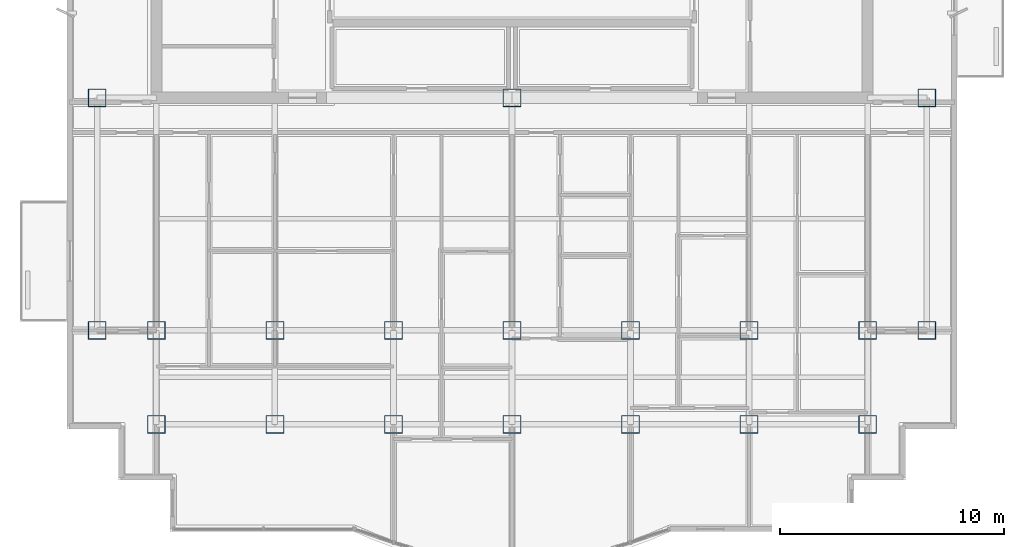
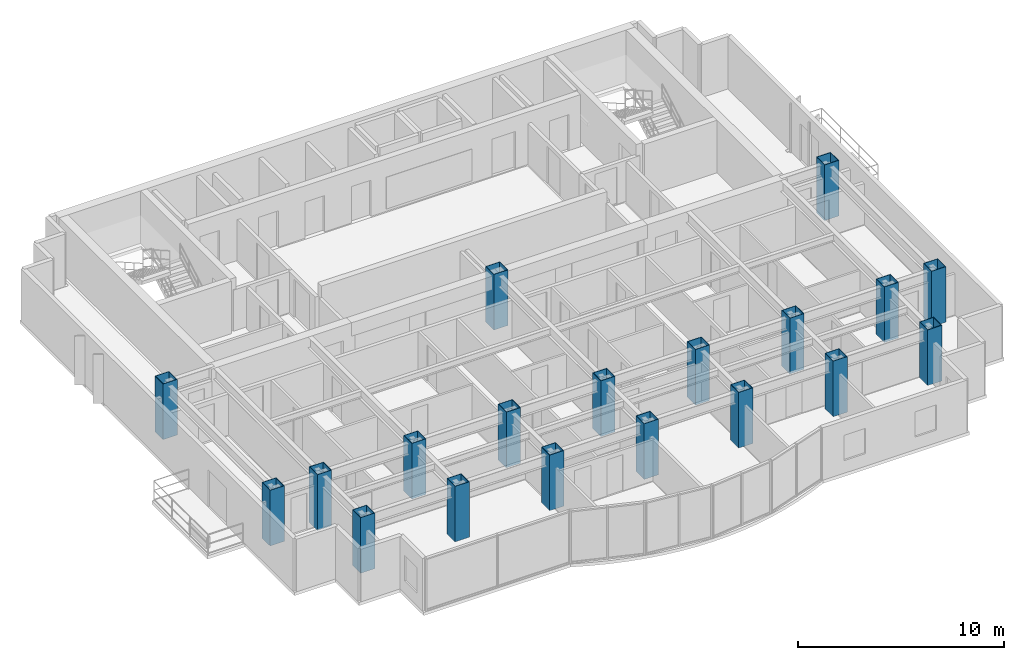
# One storey, part 1 of 9: 19 columns.
"""IFC4 building model written with IfcOpenShell, lengths in metres."""

from ifc_helpers import new_model, si_unit, direction, frame, origin, origin_2d, place, context, subcontext, project, spatial, hollow_rectangle, extrude, material, material_profile, profile_set, type_object, element, save


model = new_model("IFC4")

# Units and contexts
model_context = context("Model", 3, precision=1e-05, world=origin(), true_north=direction((0.0, 1.0)))
body_context = subcontext(model_context, "Body", "Model", "MODEL_VIEW")
ifc_project = project(units=[si_unit("LENGTHUNIT", "METRE"), si_unit("AREAUNIT", "SQUARE_METRE"), si_unit("VOLUMEUNIT", "CUBIC_METRE"), si_unit("PLANEANGLEUNIT", "RADIAN"), si_unit("MASSUNIT", "GRAM", prefix="KILO")], contexts=[model_context])

# Site, building, storey
site_placement = place(None, origin())
site = spatial("IfcSite", under=ifc_project, at=site_placement, CompositionType="ELEMENT")
building_placement = place(site_placement, origin())
building = spatial("IfcBuilding", under=site, at=building_placement, Name="Qianlan Lanfeng Residences", CompositionType="ELEMENT")
storey_placement = place(building_placement, frame((0.0, 0.0, 209.89990234375)))
storey = spatial("IfcBuildingStorey", under=building, at=storey_placement, Name="L57", CompositionType="ELEMENT", Elevation=209.89990234375)

# Columns
ifc_material = material(Name="Steel SN490B", Category="steel")
ifc_material_profile_1 = material_profile(ifc_material, hollow_rectangle(XDim=0.800048828125, YDim=0.800048828125, WallThickness=0.028076171875, at=origin_2d()), Name="BOX 800x800x28")
ifc_profile_set_1 = profile_set([ifc_material_profile_1], Name="Steel SN490B")
column_type_1 = type_object("IfcColumnType", Name="C-B850", PredefinedType="COLUMN", material=ifc_profile_set_1)
for number, where, z_axis, x_axis, name in (
    (1, (26.5, 25.199951171875, 0.0), (0.0, 0.0, 1.0), (1.0, 0.0, 0.0), "L57 Structural Column CP_26.5_25.2"),
    (2, (10.60009765625, 14.800048828125, 0.0), (0.0, 0.0, 1.0), (1.0, 0.0, 0.0), "L57 Structural Column M_10.60_14.80"),
    (3, (15.89990234375, 14.800048828125, 0.0), (0.0, 0.0, 1.0), (1.0, 0.0, 0.0), "L57 Structural Column M_15.90_14.80"),
    (4, (15.89990234375, 10.60009765625, 0.0), (0.0, 0.0, 1.0), (1.0, 0.0, 0.0), "L57 Structural Column G_15.90_10.60"),
    (5, (21.199951171875, 14.800048828125, 0.0), (0.0, 0.0, 1.0), (1.0, 0.0, 0.0), "L57 Structural Column M_21.20_14.80"),
    (6, (21.199951171875, 10.60009765625, 0.0), (0.0, 0.0, 1.0), (1.0, 0.0, 0.0), "L57 Structural Column G_21.20_10.60"),
    (7, (26.5, 14.800048828125, 0.0), (0.0, 0.0, 1.0), (1.0, 0.0, 0.0), "L57 Structural Column M_26.50_14.80"),
    (8, (26.5, 10.60009765625, 0.0), (0.0, 0.0, 1.0), (1.0, 0.0, 0.0), "L57 Structural Column G_26.50_10.60"),
    (9, (31.800048828125, 14.800048828125, 0.0), (0.0, 0.0, 1.0), (1.0, 0.0, 0.0), "L57 Structural Column M_31.80_14.80"),
    (10, (31.800048828125, 10.60009765625, 0.0), (0.0, 0.0, 1.0), (1.0, 0.0, 0.0), "L57 Structural Column G_31.80_10.60"),
    (11, (37.10009765625, 14.800048828125, 0.0), (0.0, 0.0, 1.0), (1.0, 0.0, 0.0), "L57 Structural Column M_37.10_14.80"),
    (12, (37.10009765625, 10.60009765625, 0.0), (0.0, 0.0, 1.0), (1.0, 0.0, 0.0), "L57 Structural Column G_37.10_10.60"),
    (13, (42.39990234375, 14.800048828125, 0.0), (0.0, 0.0, 1.0), (1.0, 0.0, 0.0), "L57 Structural Column M_42.40_14.80"),
):
    element("IfcColumn", number, at=place(storey_placement, frame(where, z_axis=z_axis, x_axis=x_axis)), inside=storey, type_object=column_type_1, Name=name, PredefinedType="COLUMN", context=body_context, shape_type="SweptSolid", body=[
        extrude(hollow_rectangle(XDim=0.800048828125, YDim=0.800048828125, WallThickness=0.028076171875, at=origin_2d()), origin(), (0.0, 0.0, 1.0), 3.300048828125),
    ])
ifc_material_profile_2 = material_profile(ifc_material, hollow_rectangle(XDim=0.800048828125, YDim=0.800048828125, WallThickness=0.028076171875, at=origin_2d()), Name="BOX 800x800x28")
ifc_profile_set_2 = profile_set([ifc_material_profile_2], Name="Steel SN490B")
column_type_2 = type_object("IfcColumnType", Name="CE-B800", PredefinedType="COLUMN", material=ifc_profile_set_2)
for number, where, z_axis, x_axis, name in (
    (14, (10.60009765625, 10.60009765625, 0.0), (0.0, 0.0, 1.0), (1.0, 0.0, 0.0), "L57 Structural Column G_10.60_10.60"),
    (15, (42.39990234375, 10.60009765625, 0.0), (0.0, 0.0, 1.0), (1.0, 0.0, 0.0), "L57 Structural Column G_42.40_10.60"),
    (16, (7.949951171875, 14.800048828125, 0.0), (0.0, 0.0, 1.0), (1.0, 0.0, 0.0), "L57 Structural Column W_7.95_14.80"),
    (17, (7.949951171875, 25.199951171875, 0.0), (0.0, 0.0, 1.0), (1.0, 0.0, 0.0), "L57 Structural Column W_7.95_25.20"),
    (18, (45.050048828125, 14.800048828125, 0.0), (0.0, 0.0, 1.0), (1.0, 0.0, 0.0), "L57 Structural Column W_45.05_14.80"),
    (19, (45.050048828125, 25.199951171875, 0.0), (0.0, 0.0, 1.0), (1.0, 0.0, 0.0), "L57 Structural Column W_45.05_25.20"),
):
    element("IfcColumn", number, at=place(storey_placement, frame(where, z_axis=z_axis, x_axis=x_axis)), inside=storey, type_object=column_type_2, Name=name, PredefinedType="COLUMN", context=body_context, shape_type="SweptSolid", body=[
        extrude(hollow_rectangle(XDim=0.800048828125, YDim=0.800048828125, WallThickness=0.028076171875, at=origin_2d()), origin(), (0.0, 0.0, 1.0), 3.300048828125),
    ])

save(model, "model.ifc")
